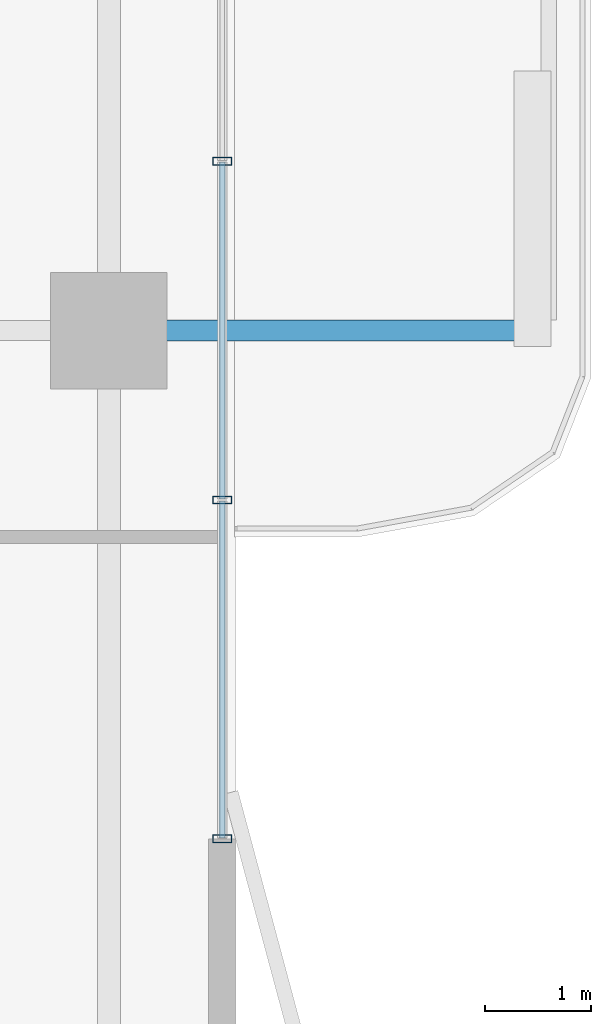
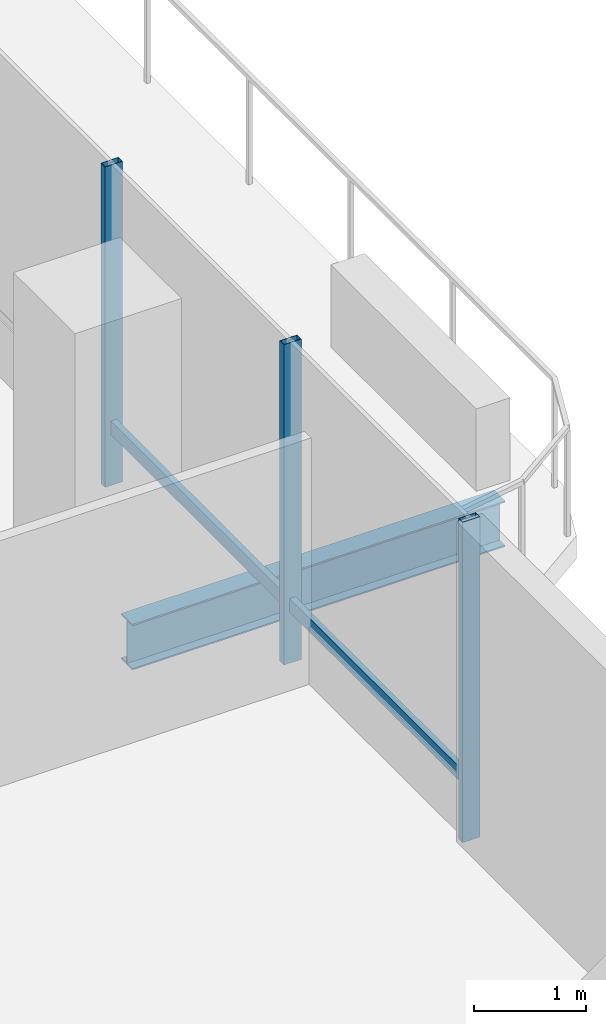
# One storey, part 8 of 24: 5 members, 1 beam, 1 element without a shape of its own.
"""IFC4 building model written with IfcOpenShell, lengths in metres."""

from ifc_helpers import new_model, si_unit, direction, frame, origin, origin_2d, place, context, subcontext, project, spatial, hollow_rectangle, i_section, extrude, material, layer, layer_set, material_profile, profile_set, type_object, element, aggregate, save


model = new_model("IFC4")

# Units and contexts
model_context = context("Model", 3, precision=1e-05, world=origin(), true_north=direction((0.0, 1.0)))
body_context = subcontext(model_context, "Body", "Model", "MODEL_VIEW")
ifc_project = project(units=[si_unit("LENGTHUNIT", "METRE"), si_unit("AREAUNIT", "SQUARE_METRE"), si_unit("VOLUMEUNIT", "CUBIC_METRE"), si_unit("PLANEANGLEUNIT", "RADIAN"), si_unit("MASSUNIT", "GRAM", prefix="KILO")], contexts=[model_context])

# Site, building, storey
site_placement = place(None, origin())
site = spatial("IfcSite", under=ifc_project, at=site_placement, CompositionType="ELEMENT")
building_placement = place(site_placement, origin())
building = spatial("IfcBuilding", under=site, at=building_placement, Name="Belovzor Exchange Tower", CompositionType="ELEMENT")
storey_placement = place(building_placement, frame((0.0, 0.0, 237.449951171875)))
storey = spatial("IfcBuildingStorey", under=building, at=storey_placement, Name="L59", CompositionType="ELEMENT", Elevation=237.449951171875)

# Beam
ifc_material_1 = material(Name="Steel S355", Category="steel")
ifc_material_profile_1 = material_profile(ifc_material_1, i_section(OverallWidth=0.199951171875, OverallDepth=0.5, WebThickness=0.01025390625, FlangeThickness=0.01611328125, at=origin_2d()))
ifc_profile_set_1 = profile_set([ifc_material_profile_1], Name="Steel S355")
beam_type = type_object("IfcBeamType", Name="Planted Balcony Cantilever Beam IPE 500", PredefinedType="BEAM", material=ifc_profile_set_1)
beam_placement = place(storey_placement, frame((54.903076171875, 28.800048828125, -0.5), z_axis=(1.0, 0.0, 0.0), x_axis=(0.0, 1.0, 0.0)))
element("IfcBeam", 1, at=beam_placement, inside=storey, type_object=beam_type, Name="BC-500 Planted Balcony Cantilever Beam IPE 500", PredefinedType="BEAM", context=body_context, shape_type="SweptSolid", body=[
    extrude(i_section(OverallWidth=0.199951171875, OverallDepth=0.5, WebThickness=0.01025390625, FlangeThickness=0.01611328125, at=origin_2d()), origin(), (0.0, 0.0, 1.0), 3.849853515625),
])

# Curtain wall, members
ifc_material_2 = material(Name="Anodised Aluminium Framing", Category="aluminium")
ifc_layer = layer(ifc_material_2, 0.179931640625)
ifc_layer_set = layer_set([ifc_layer], Name="Anodised Aluminium Framing")
curtain_wall_type = type_object("IfcCurtainWallType", Name="Recessed Loggia Low-Iron Triple-Glazed Curtain Wall", PredefinedType="NOTDEFINED", material=ifc_layer_set)
curtain_wall_placement = place(storey_placement, origin())
curtain_wall = element("IfcCurtainWall", 2, at=curtain_wall_placement, inside=storey, type_object=curtain_wall_type, Name="CW3 Recessed Loggia Low-Iron Triple-Glazed Curtain Wall L59", PredefinedType="NOTDEFINED")
ifc_material_3 = material(Name="Steel S355", Category="steel")
ifc_material_profile_2 = material_profile(ifc_material_3, hollow_rectangle(XDim=0.074951171875, YDim=0.179931640625, WallThickness=0.0048828125, at=origin_2d()))
ifc_profile_set_2 = profile_set([ifc_material_profile_2], Name="Steel S355")
member_type_1 = type_object("IfcMemberType", Name="Thermally Broken Curtain Wall Mullion 180x75", PredefinedType="MULLION", material=ifc_profile_set_2)
member_1_placement = place(storey_placement, frame((55.669921875, 30.39990234375, 0.0), z_axis=(0.0, 0.0, 1.0), x_axis=(0.0, -1.0, 0.0)))
member_1 = element("IfcMember", 3, at=member_1_placement, type_object=member_type_1, Name="CW-M180 Curtain Wall Mullion 2", PredefinedType="MULLION", context=body_context, shape_type="SweptSolid", body=[
    extrude(hollow_rectangle(XDim=0.074951171875, YDim=0.179931640625, WallThickness=0.0048828125, at=origin_2d()), origin(), (0.0, 0.0, 1.0), 3.5),
])
member_2_placement = place(storey_placement, frame((55.669921875, 27.199951171875, 0.0), z_axis=(0.0, 0.0, 1.0), x_axis=(0.0, -1.0, 0.0)))
member_2 = element("IfcMember", 4, at=member_2_placement, type_object=member_type_1, Name="CW-M180 Curtain Wall Mullion 3", PredefinedType="MULLION", context=body_context, shape_type="SweptSolid", body=[
    extrude(hollow_rectangle(XDim=0.074951171875, YDim=0.179931640625, WallThickness=0.0048828125, at=origin_2d()), origin(), (0.0, 0.0, 1.0), 3.5),
])
member_3_placement = place(storey_placement, frame((55.669921875, 24.0, 0.0), z_axis=(0.0, 0.0, 1.0), x_axis=(0.0, -1.0, 0.0)))
member_3 = element("IfcMember", 5, at=member_3_placement, type_object=member_type_1, Name="CW-M180 Curtain Wall Mullion 4", PredefinedType="MULLION", context=body_context, shape_type="SweptSolid", body=[
    extrude(hollow_rectangle(XDim=0.074951171875, YDim=0.179931640625, WallThickness=0.0048828125, at=origin_2d()), origin(), (0.0, 0.0, 1.0), 3.5),
])
ifc_material_4 = material(Name="Steel S355", Category="steel")
ifc_material_profile_3 = material_profile(ifc_material_4, hollow_rectangle(XDim=0.06005859375, YDim=0.14990234375, WallThickness=0.00390625, at=origin_2d()))
ifc_profile_set_3 = profile_set([ifc_material_profile_3], Name="Steel S355")
member_type_2 = type_object("IfcMemberType", Name="Thermally Broken Curtain Wall Transom 150x60", PredefinedType="USERDEFINED", material=ifc_profile_set_3)
member_4_placement = place(storey_placement, frame((55.669921875, 30.39208984375, 0.630126953125), z_axis=(0.0, -1.0, 0.0), x_axis=(1.0, 0.0, 0.0)))
member_4 = element("IfcMember", 6, at=member_4_placement, type_object=member_type_2, Name="CW-T150 Curtain Wall Transom 2", ObjectType="TRANSOM", PredefinedType="USERDEFINED", context=body_context, shape_type="SweptSolid", body=[
    extrude(hollow_rectangle(XDim=0.06005859375, YDim=0.14990234375, WallThickness=0.00390625, at=origin_2d()), origin(), (0.0, 0.0, 1.0), 3.18408203125),
])
member_5_placement = place(storey_placement, frame((55.669921875, 27.19189453125, 0.630126953125), z_axis=(0.0, -1.0, 0.0), x_axis=(1.0, 0.0, 0.0)))
member_5 = element("IfcMember", 7, at=member_5_placement, type_object=member_type_2, Name="CW-T150 Curtain Wall Transom 3", ObjectType="TRANSOM", PredefinedType="USERDEFINED", context=body_context, shape_type="SweptSolid", body=[
    extrude(hollow_rectangle(XDim=0.06005859375, YDim=0.14990234375, WallThickness=0.00390625, at=origin_2d()), origin(), (0.0, 0.0, 1.0), 3.183837890625),
])
aggregate(curtain_wall, [member_1, member_2, member_3, member_4, member_5])

save(model, "model.ifc")
